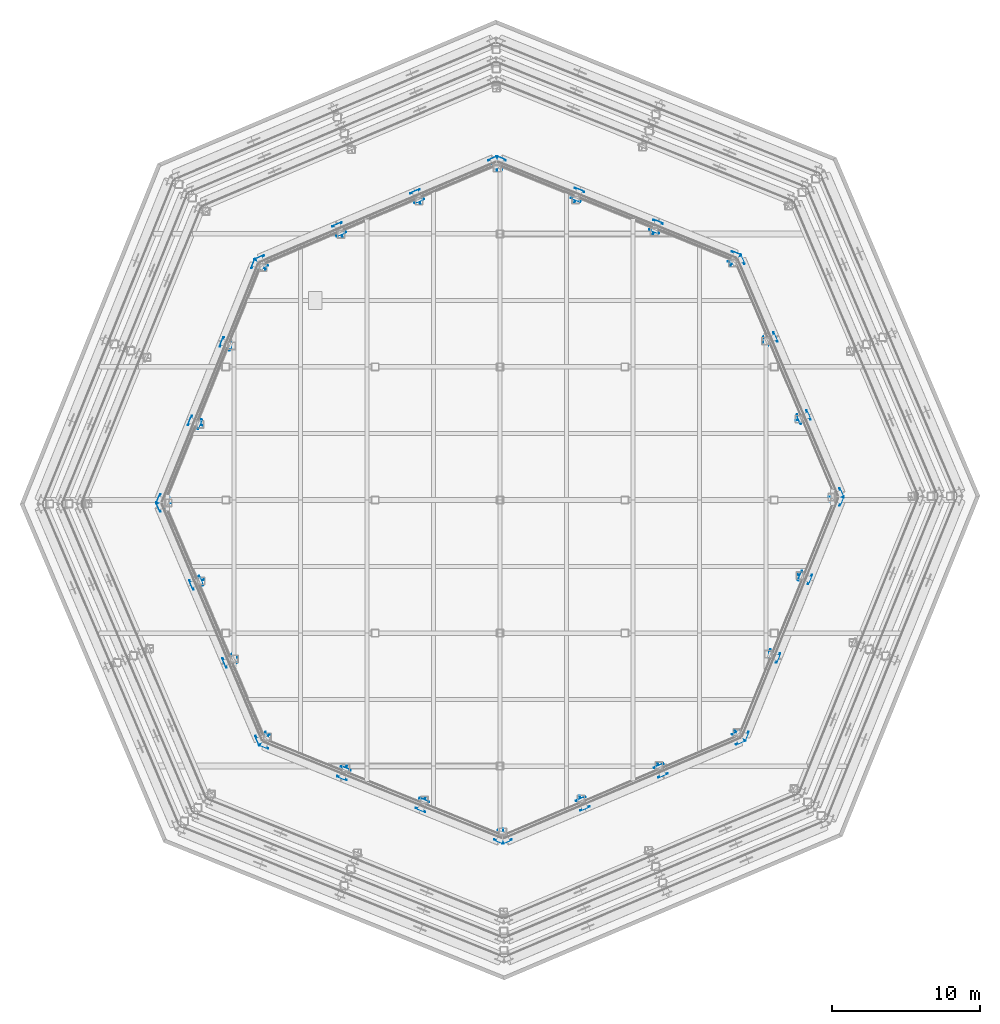
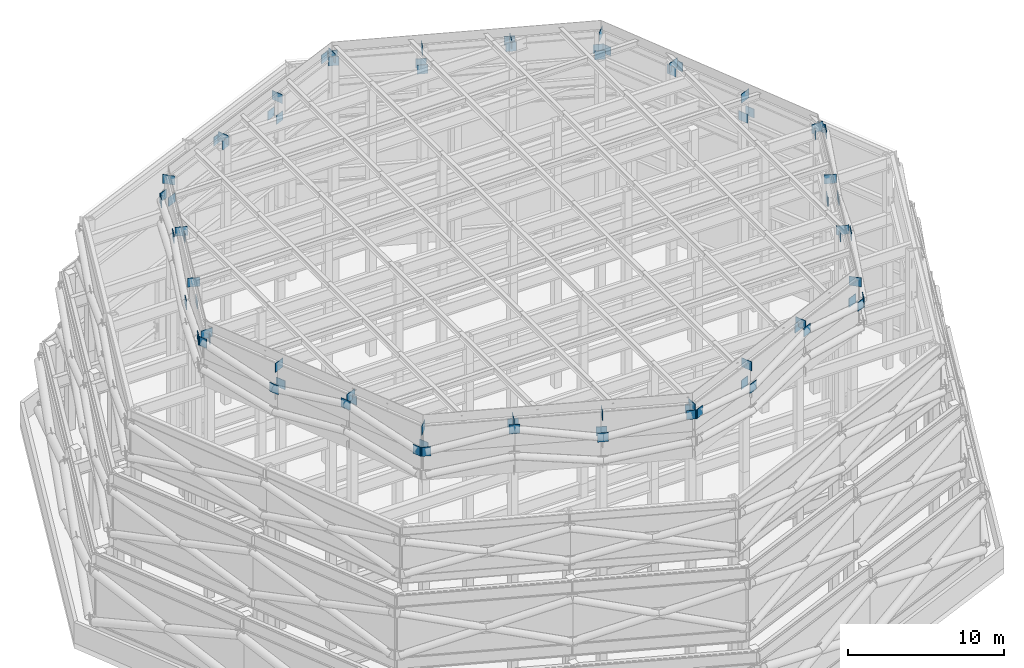
# One storey, part 18 of 19: 1 discrete accessory.
"""IFC4 building model written with IfcOpenShell, lengths in metres."""

import ifcopenshell
import ifcopenshell.guid

model = None  # the IFC model being written
_history = None  # IfcOwnerHistory: only IFC2X3 demands one
_inside = {}  # id of a spatial element -> (the spatial element, [elements in it])
_under = {}  # id of a project, library or spatial element -> (it, [spatial elements below it])
_declared = {}  # id of a project -> (the project, [libraries it declares])
_typed = {}  # id of a type object -> (the type object, [elements of that type])
_made_of = {}  # id of a material, layer set ... -> (it, [elements and type objects made of it])


def new_model(schema):
    """Start an empty IFC model of exactly this schema.

    Asked for "IFC4X3", IfcOpenShell would pick the latest addendum, in which some entities
    have other attributes; the version numbers below select the first issue.
    IFC2X3 requires an IfcOwnerHistory on every rooted entity: one is made here for all.
    """
    global model, _history
    if schema == "IFC4X3":
        model = ifcopenshell.file(schema_version=(4, 3, 0, 0))
    else:
        model = ifcopenshell.file(schema=schema)
    _inside.clear()
    _under.clear()
    _declared.clear()
    _typed.clear()
    _made_of.clear()
    _history = None
    if model.schema == "IFC2X3":
        org = make("IfcOrganization", Name="unknown")
        user = make(
            "IfcPersonAndOrganization",
            ThePerson=make("IfcPerson", FamilyName="unknown"),
            TheOrganization=org,
        )
        app = make(
            "IfcApplication",
            ApplicationDeveloper=org,
            Version="unknown",
            ApplicationFullName="unknown",
            ApplicationIdentifier="unknown",
        )
        _history = make(
            "IfcOwnerHistory",
            OwningUser=user,
            OwningApplication=app,
            ChangeAction="ADDED",
            CreationDate=0,
        )
    return model


def make(cls, **values):
    """One entity of the class cls with the attributes given. An attribute that is None is left unset."""
    return model.create_entity(
        cls, **{name: value for name, value in values.items() if value is not None}
    )


def rooted(cls, **values):
    """An entity with a GlobalId (a new one), such as an element, a storey or a relation."""
    return make(cls, GlobalId=ifcopenshell.guid.new(), OwnerHistory=_history, **values)


def si_unit(unit_type, name, prefix=None):
    """IfcSIUnit, for example si_unit("LENGTHUNIT", "METRE", prefix="MILLI")."""
    return make("IfcSIUnit", UnitType=unit_type, Prefix=prefix, Name=name)


def assignment(units):
    """IfcUnitAssignment: the units of a project."""
    return None if units is None else make("IfcUnitAssignment", Units=units)


def point(xyz):
    """IfcCartesianPoint."""
    return None if xyz is None else make("IfcCartesianPoint", Coordinates=xyz)


def direction(xyz):
    """IfcDirection."""
    return None if xyz is None else make("IfcDirection", DirectionRatios=xyz)


def frame(location, z_axis=None, x_axis=None):
    """IfcAxis2Placement3D, a coordinate frame: its origin and axes. An axis left out is left unset."""
    return make(
        "IfcAxis2Placement3D",
        Location=point(location),
        Axis=direction(z_axis),
        RefDirection=direction(x_axis),
    )


def frame_2d(location, x_axis=None):
    """IfcAxis2Placement2D, a coordinate frame in the plane: its origin and x axis."""
    return make(
        "IfcAxis2Placement2D", Location=point(location), RefDirection=direction(x_axis)
    )


def origin():
    """The frame at (0, 0, 0) with its axes left unset."""
    return frame((0.0, 0.0, 0.0))


def origin_2d():
    """The frame at (0, 0) in the plane with its x axis left unset."""
    return frame_2d((0.0, 0.0))


def place(relative_to, where):
    """IfcLocalPlacement: puts the frame where relative to a parent placement (None: the world)."""
    return make(
        "IfcLocalPlacement", PlacementRelTo=relative_to, RelativePlacement=where
    )


def context(
    kind, dimensions, precision=None, world=None, true_north=None, identifier=None
):
    """IfcGeometricRepresentationContext, for example the 3D "Model" context."""
    return make(
        "IfcGeometricRepresentationContext",
        ContextIdentifier=identifier,
        ContextType=kind,
        CoordinateSpaceDimension=dimensions,
        Precision=precision,
        WorldCoordinateSystem=world,
        TrueNorth=true_north,
    )


def subcontext(parent, identifier, kind, view, scale=None):
    """IfcGeometricRepresentationSubContext, for example "Body" below "Model"."""
    return make(
        "IfcGeometricRepresentationSubContext",
        ContextIdentifier=identifier,
        ContextType=kind,
        ParentContext=parent,
        TargetScale=scale,
        TargetView=view,
    )


def project(units=None, contexts=None):
    """IfcProject with its units and contexts."""
    return rooted(
        "IfcProject",
        Name="project",
        RepresentationContexts=contexts,
        UnitsInContext=assignment(units),
    )


def spatial(cls, under=None, at=None, **own):
    """A site, building, storey or space (cls), placed at a placement, below another one or the project."""
    s = rooted(cls, ObjectPlacement=at, **own)
    if under is not None:
        _under.setdefault(under.id(), (under, []))[1].append(s)
    return s


def profile(cls, at=None, kind="AREA", **sizes):
    """A parametric profile (cls). Its sizes go by their IFC names, for example OverallWidth=200.0."""
    return make(cls, ProfileType=kind, Position=at, **sizes)


def rectangle(**sizes):
    """IfcRectangleProfileDef."""
    return profile("IfcRectangleProfileDef", **sizes)


def extrude(swept, where, along, depth):
    """IfcExtrudedAreaSolid: the profile swept, set in the frame where, extruded along a direction by depth."""
    return make(
        "IfcExtrudedAreaSolid",
        SweptArea=swept,
        Position=where,
        ExtrudedDirection=direction(along),
        Depth=depth,
    )


def shape(context_of_items, identifier, shape_type, items):
    """IfcShapeRepresentation: the items that make up one representation, for example the "Body"."""
    return make(
        "IfcShapeRepresentation",
        ContextOfItems=context_of_items,
        RepresentationIdentifier=identifier,
        RepresentationType=shape_type,
        Items=items,
    )


def material(Name=None, Category=None):
    """IfcMaterial."""
    return make("IfcMaterial", Name=Name, Category=Category)


def layer(
    of_material, thickness, ventilated=None, Name=None, Category=None, Priority=None
):
    """IfcMaterialLayer: one layer of a wall or slab, of a material (None: an air gap)."""
    return make(
        "IfcMaterialLayer",
        Material=of_material,
        LayerThickness=thickness,
        IsVentilated=ventilated,
        Name=Name,
        Category=Category,
        Priority=Priority,
    )


def layer_set(layers, Name=None):
    """IfcMaterialLayerSet."""
    return make("IfcMaterialLayerSet", MaterialLayers=layers, LayerSetName=Name)


def made_of(thing, what):
    """Note that an element or type object is made of a material, layer set ...; save() writes the relation."""
    if what is not None:
        _made_of.setdefault(what.id(), (what, []))[1].append(thing)
    return thing


def type_object(cls, material=None, **own):
    """A type object (cls), such as IfcWallType, which elements share."""
    return made_of(rooted(cls, **own), material)


def element(
    cls,
    number,
    at=None,
    inside=None,
    cuts=None,
    type_object=None,
    material=None,
    context=None,
    identifier="Body",
    shape_type=None,
    held_by="IfcProductDefinitionShape",
    body=None,
    shapes=None,
    **own,
):
    """One element of the class cls, such as IfcWall. Its Tag is "e" and its number.

    at: its placement. inside: the storey or other place that contains it. cuts: it is an
    opening in that element (IfcRelVoidsElement). A single representation is given by context,
    identifier, shape_type and body (its items); several are given by shapes. held_by: the class
    of the entity that holds the representations. save() writes the other relations.
    """
    e = rooted(cls, Tag="e%d" % number, ObjectPlacement=at, **own)
    if body is not None:
        shapes = [shape(context, identifier, shape_type, body)]
    if shapes is not None:
        e.Representation = make(held_by, Representations=shapes)
    if inside is not None:
        _inside.setdefault(inside.id(), (inside, []))[1].append(e)
    if cuts is not None:
        rooted(
            "IfcRelVoidsElement", RelatingBuildingElement=cuts, RelatedOpeningElement=e
        )
    if type_object is not None:
        _typed.setdefault(type_object.id(), (type_object, []))[1].append(e)
    return made_of(e, material)


def aggregate(whole, parts):
    """IfcRelAggregates: a whole, such as a stair, and the parts it consists of."""
    return rooted("IfcRelAggregates", RelatingObject=whole, RelatedObjects=parts)


def save(model, path):
    """Write the relations noted so far, then the file.

    IfcRelAggregates (storeys below a building ...), IfcRelContainedInSpatialStructure (elements
    in a storey), IfcRelDefinesByType, IfcRelAssociatesMaterial and IfcRelDeclares: one each for
    every whole, place, type object, material and project.
    """
    for whole, parts in _under.values():
        aggregate(whole, parts)
    for where, things in _inside.values():
        rooted(
            "IfcRelContainedInSpatialStructure",
            RelatedElements=things,
            RelatingStructure=where,
        )
    for kind, things in _typed.values():
        rooted("IfcRelDefinesByType", RelatedObjects=things, RelatingType=kind)
    for what, things in _made_of.values():
        rooted("IfcRelAssociatesMaterial", RelatedObjects=things, RelatingMaterial=what)
    for by, libraries in _declared.values():
        rooted("IfcRelDeclares", RelatingContext=by, RelatedDefinitions=libraries)
    model.write(path)


model = new_model("IFC4")

# Units and contexts
model_context = context("Model", 3, precision=1e-05, world=origin(), true_north=direction((0.0, 1.0)))
body_context = subcontext(model_context, "Body", "Model", "MODEL_VIEW")
ifc_project = project(units=[si_unit("LENGTHUNIT", "METRE"), si_unit("AREAUNIT", "SQUARE_METRE"), si_unit("VOLUMEUNIT", "CUBIC_METRE"), si_unit("PLANEANGLEUNIT", "RADIAN"), si_unit("MASSUNIT", "GRAM", prefix="KILO")], contexts=[model_context])

# Site, building, storey
site_placement = place(None, origin())
site = spatial("IfcSite", under=ifc_project, at=site_placement, CompositionType="ELEMENT")
building_placement = place(site_placement, origin())
building = spatial("IfcBuilding", under=site, at=building_placement, Name="Orlundy Tower", CompositionType="ELEMENT")
storey_placement = place(building_placement, frame((0.0, 0.0, 304.300048828125)))
storey = spatial("IfcBuildingStorey", under=building, at=storey_placement, Name="Roof", CompositionType="ELEMENT", Elevation=304.300048828125)

# Discrete accessory
ifc_material = material(Name="Steel ASTM A572 Gr 50", Category="steel")
ifc_layer = layer(ifc_material, 0.0400390625)
ifc_layer_set = layer_set([ifc_layer], Name="CONNECTION PLATES")
discrete_accessory_type = type_object("IfcDiscreteAccessoryType", Name="CONNECTION PLATES", PredefinedType="ANCHORPLATE", material=ifc_layer_set)
discrete_accessory_placement = place(storey_placement, frame((0.0, 0.0, -304.300048828125)))
element("IfcDiscreteAccessory", 1, at=discrete_accessory_placement, inside=storey, type_object=discrete_accessory_type, Name="Connection plates CROWN-FRAME-5", PredefinedType="ANCHORPLATE", context=body_context, shape_type="SweptSolid", body=[
    extrude(rectangle(XDim=0.699951171875, YDim=0.0400390625, at=origin_2d()), frame((15.828125, 16.10693359375, 324.57568359375), z_axis=(0.0, 0.0, 1.0), x_axis=(0.7009092643, 0.713250449154, 0.0)), (0.0, 0.0, 1.0), 0.699951171875),
    extrude(rectangle(XDim=0.699951171875, YDim=0.0400390625, at=origin_2d()), frame((15.921875, 16.202392578125, 324.57568359375), z_axis=(0.0, 0.0, 1.0), x_axis=(0.7009092643, 0.713250449154, 0.0)), (0.0, 0.0, 1.0), 0.699951171875),
    extrude(rectangle(XDim=0.699951171875, YDim=0.0400390625, at=origin_2d()), frame((10.474853515625, 18.280029296875, 324.57568359375), z_axis=(0.0, 0.0, 1.0), x_axis=(0.374606593416, 0.927183854567, 0.0)), (0.0, 0.0, 1.0), 0.699951171875),
    extrude(rectangle(XDim=0.699951171875, YDim=0.0400390625, at=origin_2d()), frame((10.517578125, 18.3857421875, 324.57568359375), z_axis=(0.0, 0.0, 1.0), x_axis=(0.374606593416, 0.927183854567, 0.0)), (0.0, 0.0, 1.0), 0.699951171875),
    extrude(rectangle(XDim=0.699951171875, YDim=0.0400390625, at=origin_2d()), frame((5.1630859375, 20.42626953125, 324.57568359375), z_axis=(0.0, 0.0, 1.0), x_axis=(0.374606593416, 0.927183854567, 0.0)), (0.0, 0.0, 1.0), 0.699951171875),
    extrude(rectangle(XDim=0.699951171875, YDim=0.0400390625, at=origin_2d()), frame((5.205810546875, 20.53173828125, 324.57568359375), z_axis=(0.0, 0.0, 1.0), x_axis=(0.374606593416, 0.927183854567, 0.0)), (0.0, 0.0, 1.0), 0.699951171875),
    extrude(rectangle(XDim=0.699951171875, YDim=0.0400390625, at=origin_2d()), frame((-0.197265625, 22.581298828125, 324.57568359375), z_axis=(0.0, 0.0, 1.0), x_axis=(-0.008726535498, 0.999961923064, 0.0)), (0.0, 0.0, 1.0), 0.699951171875),
    extrude(rectangle(XDim=0.699951171875, YDim=0.0400390625, at=origin_2d()), frame((-0.198486328125, 22.715087890625, 324.57568359375), z_axis=(0.0, 0.0, 1.0), x_axis=(-0.008726535498, 0.999961923064, 0.0)), (0.0, 0.0, 1.0), 0.699951171875),
    extrude(rectangle(XDim=0.699951171875, YDim=0.0400390625, at=origin_2d()), frame((-5.51904296875, 20.3330078125, 324.57568359375), z_axis=(0.0, 0.0, 1.0), x_axis=(-0.390731128489, 0.920504853452, 0.0)), (0.0, 0.0, 1.0), 0.699951171875),
    extrude(rectangle(XDim=0.699951171875, YDim=0.0400390625, at=origin_2d()), frame((-5.563720703125, 20.437744140625, 324.57568359375), z_axis=(0.0, 0.0, 1.0), x_axis=(-0.390731128489, 0.920504853452, 0.0)), (0.0, 0.0, 1.0), 0.699951171875),
    extrude(rectangle(XDim=0.699951171875, YDim=0.0400390625, at=origin_2d()), frame((-10.79248046875, 18.094482421875, 324.57568359375), z_axis=(0.0, 0.0, 1.0), x_axis=(-0.390731128489, 0.920504853452, 0.0)), (0.0, 0.0, 1.0), 0.699951171875),
    extrude(rectangle(XDim=0.699951171875, YDim=0.0400390625, at=origin_2d()), frame((-10.837158203125, 18.19921875, 324.57568359375), z_axis=(0.0, 0.0, 1.0), x_axis=(-0.390731128489, 0.920504853452, 0.0)), (0.0, 0.0, 1.0), 0.699951171875),
    extrude(rectangle(XDim=0.699951171875, YDim=0.0400390625, at=origin_2d()), frame((-16.10693359375, 15.828125, 324.57568359375), z_axis=(0.0, 0.0, 1.0), x_axis=(-0.713250449154, 0.7009092643, 0.0)), (0.0, 0.0, 1.0), 0.699951171875),
    extrude(rectangle(XDim=0.699951171875, YDim=0.0400390625, at=origin_2d()), frame((-16.202392578125, 15.921875, 324.57568359375), z_axis=(0.0, 0.0, 1.0), x_axis=(-0.713250449154, 0.7009092643, 0.0)), (0.0, 0.0, 1.0), 0.699951171875),
    extrude(rectangle(XDim=0.699951171875, YDim=0.0400390625, at=origin_2d()), frame((-18.280029296875, 10.474853515625, 324.57568359375), z_axis=(0.0, 0.0, 1.0), x_axis=(-0.927183854567, 0.374606593416, 0.0)), (0.0, 0.0, 1.0), 0.699951171875),
    extrude(rectangle(XDim=0.699951171875, YDim=0.0400390625, at=origin_2d()), frame((-18.3857421875, 10.517578125, 324.57568359375), z_axis=(0.0, 0.0, 1.0), x_axis=(-0.927183854567, 0.374606593416, 0.0)), (0.0, 0.0, 1.0), 0.699951171875),
    extrude(rectangle(XDim=0.699951171875, YDim=0.0400390625, at=origin_2d()), frame((-20.42626953125, 5.1630859375, 324.57568359375), z_axis=(0.0, 0.0, 1.0), x_axis=(-0.927183854567, 0.374606593416, 0.0)), (0.0, 0.0, 1.0), 0.699951171875),
    extrude(rectangle(XDim=0.699951171875, YDim=0.0400390625, at=origin_2d()), frame((-20.53173828125, 5.205810546875, 324.57568359375), z_axis=(0.0, 0.0, 1.0), x_axis=(-0.927183854567, 0.374606593416, 0.0)), (0.0, 0.0, 1.0), 0.699951171875),
    extrude(rectangle(XDim=0.699951171875, YDim=0.0400390625, at=origin_2d()), frame((-22.581298828125, -0.197265625, 324.57568359375), z_axis=(0.0, 0.0, 1.0), x_axis=(-0.999961923064, -0.008726535498, 0.0)), (0.0, 0.0, 1.0), 0.699951171875),
    extrude(rectangle(XDim=0.699951171875, YDim=0.0400390625, at=origin_2d()), frame((-22.715087890625, -0.198486328125, 324.57568359375), z_axis=(0.0, 0.0, 1.0), x_axis=(-0.999961923064, -0.008726535498, 0.0)), (0.0, 0.0, 1.0), 0.699951171875),
    extrude(rectangle(XDim=0.699951171875, YDim=0.0400390625, at=origin_2d()), frame((-20.3330078125, -5.51904296875, 324.57568359375), z_axis=(0.0, 0.0, 1.0), x_axis=(-0.920504853452, -0.390731128489, 0.0)), (0.0, 0.0, 1.0), 0.699951171875),
    extrude(rectangle(XDim=0.699951171875, YDim=0.0400390625, at=origin_2d()), frame((-20.437744140625, -5.563720703125, 324.57568359375), z_axis=(0.0, 0.0, 1.0), x_axis=(-0.920504853452, -0.390731128489, 0.0)), (0.0, 0.0, 1.0), 0.699951171875),
    extrude(rectangle(XDim=0.699951171875, YDim=0.0400390625, at=origin_2d()), frame((-18.094482421875, -10.79248046875, 324.57568359375), z_axis=(0.0, 0.0, 1.0), x_axis=(-0.920504853452, -0.390731128489, 0.0)), (0.0, 0.0, 1.0), 0.699951171875),
    extrude(rectangle(XDim=0.699951171875, YDim=0.0400390625, at=origin_2d()), frame((-18.19921875, -10.837158203125, 324.57568359375), z_axis=(0.0, 0.0, 1.0), x_axis=(-0.920504853452, -0.390731128489, 0.0)), (0.0, 0.0, 1.0), 0.699951171875),
    extrude(rectangle(XDim=0.699951171875, YDim=0.0400390625, at=origin_2d()), frame((-15.828125, -16.10693359375, 324.57568359375), z_axis=(0.0, 0.0, 1.0), x_axis=(-0.7009092643, -0.713250449154, 0.0)), (0.0, 0.0, 1.0), 0.699951171875),
    extrude(rectangle(XDim=0.699951171875, YDim=0.0400390625, at=origin_2d()), frame((-15.921875, -16.202392578125, 324.57568359375), z_axis=(0.0, 0.0, 1.0), x_axis=(-0.7009092643, -0.713250449154, 0.0)), (0.0, 0.0, 1.0), 0.699951171875),
    extrude(rectangle(XDim=0.699951171875, YDim=0.0400390625, at=origin_2d()), frame((-10.474853515625, -18.280029296875, 324.57568359375), z_axis=(0.0, 0.0, 1.0), x_axis=(-0.374606593416, -0.927183854567, 0.0)), (0.0, 0.0, 1.0), 0.699951171875),
    extrude(rectangle(XDim=0.699951171875, YDim=0.0400390625, at=origin_2d()), frame((-10.517578125, -18.3857421875, 324.57568359375), z_axis=(0.0, 0.0, 1.0), x_axis=(-0.374606593416, -0.927183854567, 0.0)), (0.0, 0.0, 1.0), 0.699951171875),
    extrude(rectangle(XDim=0.699951171875, YDim=0.0400390625, at=origin_2d()), frame((-5.1630859375, -20.42626953125, 324.57568359375), z_axis=(0.0, 0.0, 1.0), x_axis=(-0.374606593416, -0.927183854567, 0.0)), (0.0, 0.0, 1.0), 0.699951171875),
    extrude(rectangle(XDim=0.699951171875, YDim=0.0400390625, at=origin_2d()), frame((-5.205810546875, -20.53173828125, 324.57568359375), z_axis=(0.0, 0.0, 1.0), x_axis=(-0.374606593416, -0.927183854567, 0.0)), (0.0, 0.0, 1.0), 0.699951171875),
    extrude(rectangle(XDim=0.699951171875, YDim=0.0400390625, at=origin_2d()), frame((0.197265625, -22.581298828125, 324.57568359375), z_axis=(0.0, 0.0, 1.0), x_axis=(0.008726535498, -0.999961923064, 0.0)), (0.0, 0.0, 1.0), 0.699951171875),
    extrude(rectangle(XDim=0.699951171875, YDim=0.0400390625, at=origin_2d()), frame((0.198486328125, -22.715087890625, 324.57568359375), z_axis=(0.0, 0.0, 1.0), x_axis=(0.008726535498, -0.999961923064, 0.0)), (0.0, 0.0, 1.0), 0.699951171875),
    extrude(rectangle(XDim=0.699951171875, YDim=0.0400390625, at=origin_2d()), frame((5.51904296875, -20.3330078125, 324.57568359375), z_axis=(0.0, 0.0, 1.0), x_axis=(0.390731128489, -0.920504853452, 0.0)), (0.0, 0.0, 1.0), 0.699951171875),
    extrude(rectangle(XDim=0.699951171875, YDim=0.0400390625, at=origin_2d()), frame((5.563720703125, -20.437744140625, 324.57568359375), z_axis=(0.0, 0.0, 1.0), x_axis=(0.390731128489, -0.920504853452, 0.0)), (0.0, 0.0, 1.0), 0.699951171875),
    extrude(rectangle(XDim=0.699951171875, YDim=0.0400390625, at=origin_2d()), frame((10.79248046875, -18.094482421875, 324.57568359375), z_axis=(0.0, 0.0, 1.0), x_axis=(0.390731128489, -0.920504853452, 0.0)), (0.0, 0.0, 1.0), 0.699951171875),
    extrude(rectangle(XDim=0.699951171875, YDim=0.0400390625, at=origin_2d()), frame((10.837158203125, -18.19921875, 324.57568359375), z_axis=(0.0, 0.0, 1.0), x_axis=(0.390731128489, -0.920504853452, 0.0)), (0.0, 0.0, 1.0), 0.699951171875),
    extrude(rectangle(XDim=0.699951171875, YDim=0.0400390625, at=origin_2d()), frame((16.10693359375, -15.828125, 324.57568359375), z_axis=(0.0, 0.0, 1.0), x_axis=(0.713250449154, -0.7009092643, 0.0)), (0.0, 0.0, 1.0), 0.699951171875),
    extrude(rectangle(XDim=0.699951171875, YDim=0.0400390625, at=origin_2d()), frame((16.202392578125, -15.921875, 324.57568359375), z_axis=(0.0, 0.0, 1.0), x_axis=(0.713250449154, -0.7009092643, 0.0)), (0.0, 0.0, 1.0), 0.699951171875),
    extrude(rectangle(XDim=0.699951171875, YDim=0.0400390625, at=origin_2d()), frame((18.280029296875, -10.474853515625, 324.57568359375), z_axis=(0.0, 0.0, 1.0), x_axis=(0.927183854567, -0.374606593416, 0.0)), (0.0, 0.0, 1.0), 0.699951171875),
    extrude(rectangle(XDim=0.699951171875, YDim=0.0400390625, at=origin_2d()), frame((18.3857421875, -10.517578125, 324.57568359375), z_axis=(0.0, 0.0, 1.0), x_axis=(0.927183854567, -0.374606593416, 0.0)), (0.0, 0.0, 1.0), 0.699951171875),
    extrude(rectangle(XDim=0.699951171875, YDim=0.0400390625, at=origin_2d()), frame((20.42626953125, -5.1630859375, 324.57568359375), z_axis=(0.0, 0.0, 1.0), x_axis=(0.927183854567, -0.374606593416, 0.0)), (0.0, 0.0, 1.0), 0.699951171875),
    extrude(rectangle(XDim=0.699951171875, YDim=0.0400390625, at=origin_2d()), frame((20.53173828125, -5.205810546875, 324.57568359375), z_axis=(0.0, 0.0, 1.0), x_axis=(0.927183854567, -0.374606593416, 0.0)), (0.0, 0.0, 1.0), 0.699951171875),
    extrude(rectangle(XDim=0.699951171875, YDim=0.0400390625, at=origin_2d()), frame((22.581298828125, 0.197265625, 324.57568359375), z_axis=(0.0, 0.0, 1.0), x_axis=(0.999961923064, 0.008726535498, 0.0)), (0.0, 0.0, 1.0), 0.699951171875),
    extrude(rectangle(XDim=0.699951171875, YDim=0.0400390625, at=origin_2d()), frame((22.715087890625, 0.198486328125, 324.57568359375), z_axis=(0.0, 0.0, 1.0), x_axis=(0.999961923064, 0.008726535498, 0.0)), (0.0, 0.0, 1.0), 0.699951171875),
    extrude(rectangle(XDim=0.699951171875, YDim=0.0400390625, at=origin_2d()), frame((20.3330078125, 5.51904296875, 324.57568359375), z_axis=(0.0, 0.0, 1.0), x_axis=(0.920504853452, 0.390731128489, 0.0)), (0.0, 0.0, 1.0), 0.699951171875),
    extrude(rectangle(XDim=0.699951171875, YDim=0.0400390625, at=origin_2d()), frame((20.437744140625, 5.563720703125, 324.57568359375), z_axis=(0.0, 0.0, 1.0), x_axis=(0.920504853452, 0.390731128489, 0.0)), (0.0, 0.0, 1.0), 0.699951171875),
    extrude(rectangle(XDim=0.699951171875, YDim=0.0400390625, at=origin_2d()), frame((18.094482421875, 10.79248046875, 324.57568359375), z_axis=(0.0, 0.0, 1.0), x_axis=(0.920504853452, 0.390731128489, 0.0)), (0.0, 0.0, 1.0), 0.699951171875),
    extrude(rectangle(XDim=0.699951171875, YDim=0.0400390625, at=origin_2d()), frame((18.19921875, 10.837158203125, 324.57568359375), z_axis=(0.0, 0.0, 1.0), x_axis=(0.920504853452, 0.390731128489, 0.0)), (0.0, 0.0, 1.0), 0.699951171875),
    extrude(rectangle(XDim=0.699951171875, YDim=0.0400390625, at=origin_2d()), frame((16.00439453125, 16.6728515625, 323.0498046875), z_axis=(0.0, 0.0, 1.0), x_axis=(-0.927183854567, 0.374606593416, 0.0)), (0.0, 0.0, 1.0), 0.699951171875),
    extrude(rectangle(XDim=0.699951171875, YDim=0.0400390625, at=origin_2d()), frame((10.692626953125, 18.81884765625, 324.2509765625), z_axis=(0.0, 0.0, 1.0), x_axis=(-0.927183854567, 0.374606593416, 0.0)), (0.0, 0.0, 1.0), 0.699951171875),
    extrude(rectangle(XDim=0.699951171875, YDim=0.0400390625, at=origin_2d()), frame((15.739013671875, 16.016357421875, 323.0498046875), z_axis=(0.0, 0.0, 1.0), x_axis=(-0.927183854567, 0.374606593416, 0.0)), (0.0, 0.0, 1.0), 0.699951171875),
    extrude(rectangle(XDim=0.699951171875, YDim=0.0400390625, at=origin_2d()), frame((10.42724609375, 18.162353515625, 324.2509765625), z_axis=(0.0, 0.0, 1.0), x_axis=(-0.927183854567, 0.374606593416, 0.0)), (0.0, 0.0, 1.0), 0.699951171875),
    extrude(rectangle(XDim=0.699951171875, YDim=0.0400390625, at=origin_2d()), frame((5.380859375, 20.96484375, 323.0498046875), z_axis=(0.0, 0.0, 1.0), x_axis=(0.927183854567, -0.374606593416, 0.0)), (0.0, 0.0, 1.0), 0.699951171875),
    extrude(rectangle(XDim=0.699951171875, YDim=0.0400390625, at=origin_2d()), frame((5.115478515625, 20.308349609375, 323.0498046875), z_axis=(0.0, 0.0, 1.0), x_axis=(0.927183854567, -0.374606593416, 0.0)), (0.0, 0.0, 1.0), 0.699951171875),
    extrude(rectangle(XDim=0.699951171875, YDim=0.0400390625, at=origin_2d()), frame((0.069091796875, 23.11083984375, 324.2509765625), z_axis=(0.0, 0.0, 1.0), x_axis=(-0.927183854567, 0.374606593416, 0.0)), (0.0, 0.0, 1.0), 0.699951171875),
    extrude(rectangle(XDim=0.699951171875, YDim=0.0400390625, at=origin_2d()), frame((-0.196044921875, 22.45458984375, 324.2509765625), z_axis=(0.0, 0.0, 1.0), x_axis=(-0.927183854567, 0.374606593416, 0.0)), (0.0, 0.0, 1.0), 0.699951171875),
    extrude(rectangle(XDim=0.699951171875, YDim=0.0400390625, at=origin_2d()), frame((-5.74609375, 20.86767578125, 323.0498046875), z_axis=(0.0, 0.0, 1.0), x_axis=(0.920504853452, 0.390731128489, 0.0)), (0.0, 0.0, 1.0), 0.699951171875),
    extrude(rectangle(XDim=0.699951171875, YDim=0.0400390625, at=origin_2d()), frame((-0.47265625, 23.106201171875, 324.2509765625), z_axis=(0.0, 0.0, 1.0), x_axis=(0.920504853452, 0.390731128489, 0.0)), (0.0, 0.0, 1.0), 0.699951171875),
    extrude(rectangle(XDim=0.699951171875, YDim=0.0400390625, at=origin_2d()), frame((-5.469482421875, 20.216064453125, 323.0498046875), z_axis=(0.0, 0.0, 1.0), x_axis=(0.920504853452, 0.390731128489, 0.0)), (0.0, 0.0, 1.0), 0.699951171875),
    extrude(rectangle(XDim=0.699951171875, YDim=0.0400390625, at=origin_2d()), frame((-11.01953125, 18.629150390625, 324.2509765625), z_axis=(0.0, 0.0, 1.0), x_axis=(-0.920504853452, -0.390731128489, 0.0)), (0.0, 0.0, 1.0), 0.699951171875),
    extrude(rectangle(XDim=0.699951171875, YDim=0.0400390625, at=origin_2d()), frame((-10.742919921875, 17.9775390625, 324.2509765625), z_axis=(0.0, 0.0, 1.0), x_axis=(-0.920504853452, -0.390731128489, 0.0)), (0.0, 0.0, 1.0), 0.699951171875),
    extrude(rectangle(XDim=0.699951171875, YDim=0.0400390625, at=origin_2d()), frame((-16.29296875, 16.390869140625, 323.0498046875), z_axis=(0.0, 0.0, 1.0), x_axis=(0.920504853452, 0.390731128489, 0.0)), (0.0, 0.0, 1.0), 0.699951171875),
    extrude(rectangle(XDim=0.699951171875, YDim=0.0400390625, at=origin_2d()), frame((-16.016357421875, 15.739013671875, 323.0498046875), z_axis=(0.0, 0.0, 1.0), x_axis=(0.920504853452, 0.390731128489, 0.0)), (0.0, 0.0, 1.0), 0.699951171875),
    extrude(rectangle(XDim=0.699951171875, YDim=0.0400390625, at=origin_2d()), frame((-16.6728515625, 16.00439453125, 323.0498046875), z_axis=(0.0, 0.0, 1.0), x_axis=(-0.374606593416, -0.927183854567, 0.0)), (0.0, 0.0, 1.0), 0.699951171875),
    extrude(rectangle(XDim=0.699951171875, YDim=0.0400390625, at=origin_2d()), frame((-18.81884765625, 10.692626953125, 324.2509765625), z_axis=(0.0, 0.0, 1.0), x_axis=(-0.374606593416, -0.927183854567, 0.0)), (0.0, 0.0, 1.0), 0.699951171875),
    extrude(rectangle(XDim=0.699951171875, YDim=0.0400390625, at=origin_2d()), frame((-18.162353515625, 10.42724609375, 324.2509765625), z_axis=(0.0, 0.0, 1.0), x_axis=(-0.374606593416, -0.927183854567, 0.0)), (0.0, 0.0, 1.0), 0.699951171875),
    extrude(rectangle(XDim=0.699951171875, YDim=0.0400390625, at=origin_2d()), frame((-20.96484375, 5.380859375, 323.0498046875), z_axis=(0.0, 0.0, 1.0), x_axis=(0.374606593416, 0.927183854567, 0.0)), (0.0, 0.0, 1.0), 0.699951171875),
    extrude(rectangle(XDim=0.699951171875, YDim=0.0400390625, at=origin_2d()), frame((-20.308349609375, 5.115478515625, 323.0498046875), z_axis=(0.0, 0.0, 1.0), x_axis=(0.374606593416, 0.927183854567, 0.0)), (0.0, 0.0, 1.0), 0.699951171875),
    extrude(rectangle(XDim=0.699951171875, YDim=0.0400390625, at=origin_2d()), frame((-23.11083984375, 0.069091796875, 324.2509765625), z_axis=(0.0, 0.0, 1.0), x_axis=(-0.374606593416, -0.927183854567, 0.0)), (0.0, 0.0, 1.0), 0.699951171875),
    extrude(rectangle(XDim=0.699951171875, YDim=0.0400390625, at=origin_2d()), frame((-22.45458984375, -0.196044921875, 324.2509765625), z_axis=(0.0, 0.0, 1.0), x_axis=(-0.374606593416, -0.927183854567, 0.0)), (0.0, 0.0, 1.0), 0.699951171875),
    extrude(rectangle(XDim=0.699951171875, YDim=0.0400390625, at=origin_2d()), frame((-20.86767578125, -5.74609375, 323.0498046875), z_axis=(0.0, 0.0, 1.0), x_axis=(-0.390731128489, 0.920504853452, 0.0)), (0.0, 0.0, 1.0), 0.699951171875),
    extrude(rectangle(XDim=0.699951171875, YDim=0.0400390625, at=origin_2d()), frame((-23.106201171875, -0.47265625, 324.2509765625), z_axis=(0.0, 0.0, 1.0), x_axis=(-0.390731128489, 0.920504853452, 0.0)), (0.0, 0.0, 1.0), 0.699951171875),
    extrude(rectangle(XDim=0.699951171875, YDim=0.0400390625, at=origin_2d()), frame((-20.216064453125, -5.469482421875, 323.0498046875), z_axis=(0.0, 0.0, 1.0), x_axis=(-0.390731128489, 0.920504853452, 0.0)), (0.0, 0.0, 1.0), 0.699951171875),
    extrude(rectangle(XDim=0.699951171875, YDim=0.0400390625, at=origin_2d()), frame((-18.629150390625, -11.01953125, 324.2509765625), z_axis=(0.0, 0.0, 1.0), x_axis=(0.390731128489, -0.920504853452, 0.0)), (0.0, 0.0, 1.0), 0.699951171875),
    extrude(rectangle(XDim=0.699951171875, YDim=0.0400390625, at=origin_2d()), frame((-17.9775390625, -10.742919921875, 324.2509765625), z_axis=(0.0, 0.0, 1.0), x_axis=(0.390731128489, -0.920504853452, 0.0)), (0.0, 0.0, 1.0), 0.699951171875),
    extrude(rectangle(XDim=0.699951171875, YDim=0.0400390625, at=origin_2d()), frame((-16.390869140625, -16.29296875, 323.0498046875), z_axis=(0.0, 0.0, 1.0), x_axis=(-0.390731128489, 0.920504853452, 0.0)), (0.0, 0.0, 1.0), 0.699951171875),
    extrude(rectangle(XDim=0.699951171875, YDim=0.0400390625, at=origin_2d()), frame((-15.739013671875, -16.016357421875, 323.0498046875), z_axis=(0.0, 0.0, 1.0), x_axis=(-0.390731128489, 0.920504853452, 0.0)), (0.0, 0.0, 1.0), 0.699951171875),
    extrude(rectangle(XDim=0.699951171875, YDim=0.0400390625, at=origin_2d()), frame((-16.00439453125, -16.6728515625, 323.0498046875), z_axis=(0.0, 0.0, 1.0), x_axis=(0.927183854567, -0.374606593416, 0.0)), (0.0, 0.0, 1.0), 0.699951171875),
    extrude(rectangle(XDim=0.699951171875, YDim=0.0400390625, at=origin_2d()), frame((-10.692626953125, -18.81884765625, 324.2509765625), z_axis=(0.0, 0.0, 1.0), x_axis=(0.927183854567, -0.374606593416, 0.0)), (0.0, 0.0, 1.0), 0.699951171875),
    extrude(rectangle(XDim=0.699951171875, YDim=0.0400390625, at=origin_2d()), frame((-10.42724609375, -18.162353515625, 324.2509765625), z_axis=(0.0, 0.0, 1.0), x_axis=(0.927183854567, -0.374606593416, 0.0)), (0.0, 0.0, 1.0), 0.699951171875),
    extrude(rectangle(XDim=0.699951171875, YDim=0.0400390625, at=origin_2d()), frame((-5.380859375, -20.96484375, 323.0498046875), z_axis=(0.0, 0.0, 1.0), x_axis=(-0.927183854567, 0.374606593416, 0.0)), (0.0, 0.0, 1.0), 0.699951171875),
    extrude(rectangle(XDim=0.699951171875, YDim=0.0400390625, at=origin_2d()), frame((-5.115478515625, -20.308349609375, 323.0498046875), z_axis=(0.0, 0.0, 1.0), x_axis=(-0.927183854567, 0.374606593416, 0.0)), (0.0, 0.0, 1.0), 0.699951171875),
    extrude(rectangle(XDim=0.699951171875, YDim=0.0400390625, at=origin_2d()), frame((-0.069091796875, -23.11083984375, 324.2509765625), z_axis=(0.0, 0.0, 1.0), x_axis=(0.927183854567, -0.374606593416, 0.0)), (0.0, 0.0, 1.0), 0.699951171875),
    extrude(rectangle(XDim=0.699951171875, YDim=0.0400390625, at=origin_2d()), frame((0.196044921875, -22.45458984375, 324.2509765625), z_axis=(0.0, 0.0, 1.0), x_axis=(0.927183854567, -0.374606593416, 0.0)), (0.0, 0.0, 1.0), 0.699951171875),
    extrude(rectangle(XDim=0.699951171875, YDim=0.0400390625, at=origin_2d()), frame((5.74609375, -20.86767578125, 323.0498046875), z_axis=(0.0, 0.0, 1.0), x_axis=(-0.920504853452, -0.390731128489, 0.0)), (0.0, 0.0, 1.0), 0.699951171875),
    extrude(rectangle(XDim=0.699951171875, YDim=0.0400390625, at=origin_2d()), frame((0.47265625, -23.106201171875, 324.2509765625), z_axis=(0.0, 0.0, 1.0), x_axis=(-0.920504853452, -0.390731128489, 0.0)), (0.0, 0.0, 1.0), 0.699951171875),
    extrude(rectangle(XDim=0.699951171875, YDim=0.0400390625, at=origin_2d()), frame((5.469482421875, -20.216064453125, 323.0498046875), z_axis=(0.0, 0.0, 1.0), x_axis=(-0.920504853452, -0.390731128489, 0.0)), (0.0, 0.0, 1.0), 0.699951171875),
    extrude(rectangle(XDim=0.699951171875, YDim=0.0400390625, at=origin_2d()), frame((11.01953125, -18.629150390625, 324.2509765625), z_axis=(0.0, 0.0, 1.0), x_axis=(0.920504853452, 0.390731128489, 0.0)), (0.0, 0.0, 1.0), 0.699951171875),
    extrude(rectangle(XDim=0.699951171875, YDim=0.0400390625, at=origin_2d()), frame((10.742919921875, -17.9775390625, 324.2509765625), z_axis=(0.0, 0.0, 1.0), x_axis=(0.920504853452, 0.390731128489, 0.0)), (0.0, 0.0, 1.0), 0.699951171875),
    extrude(rectangle(XDim=0.699951171875, YDim=0.0400390625, at=origin_2d()), frame((16.29296875, -16.390869140625, 323.0498046875), z_axis=(0.0, 0.0, 1.0), x_axis=(-0.920504853452, -0.390731128489, 0.0)), (0.0, 0.0, 1.0), 0.699951171875),
    extrude(rectangle(XDim=0.699951171875, YDim=0.0400390625, at=origin_2d()), frame((16.016357421875, -15.739013671875, 323.0498046875), z_axis=(0.0, 0.0, 1.0), x_axis=(-0.920504853452, -0.390731128489, 0.0)), (0.0, 0.0, 1.0), 0.699951171875),
    extrude(rectangle(XDim=0.699951171875, YDim=0.0400390625, at=origin_2d()), frame((16.6728515625, -16.00439453125, 323.0498046875), z_axis=(0.0, 0.0, 1.0), x_axis=(0.374606593416, 0.927183854567, 0.0)), (0.0, 0.0, 1.0), 0.699951171875),
    extrude(rectangle(XDim=0.699951171875, YDim=0.0400390625, at=origin_2d()), frame((18.81884765625, -10.692626953125, 324.2509765625), z_axis=(0.0, 0.0, 1.0), x_axis=(0.374606593416, 0.927183854567, 0.0)), (0.0, 0.0, 1.0), 0.699951171875),
    extrude(rectangle(XDim=0.699951171875, YDim=0.0400390625, at=origin_2d()), frame((18.162353515625, -10.42724609375, 324.2509765625), z_axis=(0.0, 0.0, 1.0), x_axis=(0.374606593416, 0.927183854567, 0.0)), (0.0, 0.0, 1.0), 0.699951171875),
    extrude(rectangle(XDim=0.699951171875, YDim=0.0400390625, at=origin_2d()), frame((20.96484375, -5.380859375, 323.0498046875), z_axis=(0.0, 0.0, 1.0), x_axis=(-0.374606593416, -0.927183854567, 0.0)), (0.0, 0.0, 1.0), 0.699951171875),
    extrude(rectangle(XDim=0.699951171875, YDim=0.0400390625, at=origin_2d()), frame((20.308349609375, -5.115478515625, 323.0498046875), z_axis=(0.0, 0.0, 1.0), x_axis=(-0.374606593416, -0.927183854567, 0.0)), (0.0, 0.0, 1.0), 0.699951171875),
    extrude(rectangle(XDim=0.699951171875, YDim=0.0400390625, at=origin_2d()), frame((23.11083984375, -0.069091796875, 324.2509765625), z_axis=(0.0, 0.0, 1.0), x_axis=(0.374606593416, 0.927183854567, 0.0)), (0.0, 0.0, 1.0), 0.699951171875),
    extrude(rectangle(XDim=0.699951171875, YDim=0.0400390625, at=origin_2d()), frame((22.45458984375, 0.196044921875, 324.2509765625), z_axis=(0.0, 0.0, 1.0), x_axis=(0.374606593416, 0.927183854567, 0.0)), (0.0, 0.0, 1.0), 0.699951171875),
    extrude(rectangle(XDim=0.699951171875, YDim=0.0400390625, at=origin_2d()), frame((20.86767578125, 5.74609375, 323.0498046875), z_axis=(0.0, 0.0, 1.0), x_axis=(0.390731128489, -0.920504853452, 0.0)), (0.0, 0.0, 1.0), 0.699951171875),
    extrude(rectangle(XDim=0.699951171875, YDim=0.0400390625, at=origin_2d()), frame((23.106201171875, 0.47265625, 324.2509765625), z_axis=(0.0, 0.0, 1.0), x_axis=(0.390731128489, -0.920504853452, 0.0)), (0.0, 0.0, 1.0), 0.699951171875),
    extrude(rectangle(XDim=0.699951171875, YDim=0.0400390625, at=origin_2d()), frame((20.216064453125, 5.469482421875, 323.0498046875), z_axis=(0.0, 0.0, 1.0), x_axis=(0.390731128489, -0.920504853452, 0.0)), (0.0, 0.0, 1.0), 0.699951171875),
    extrude(rectangle(XDim=0.699951171875, YDim=0.0400390625, at=origin_2d()), frame((18.629150390625, 11.01953125, 324.2509765625), z_axis=(0.0, 0.0, 1.0), x_axis=(-0.390731128489, 0.920504853452, 0.0)), (0.0, 0.0, 1.0), 0.699951171875),
    extrude(rectangle(XDim=0.699951171875, YDim=0.0400390625, at=origin_2d()), frame((17.9775390625, 10.742919921875, 324.2509765625), z_axis=(0.0, 0.0, 1.0), x_axis=(-0.390731128489, 0.920504853452, 0.0)), (0.0, 0.0, 1.0), 0.699951171875),
    extrude(rectangle(XDim=0.699951171875, YDim=0.0400390625, at=origin_2d()), frame((16.390869140625, 16.29296875, 323.0498046875), z_axis=(0.0, 0.0, 1.0), x_axis=(0.390731128489, -0.920504853452, 0.0)), (0.0, 0.0, 1.0), 0.699951171875),
])

save(model, "model.ifc")
